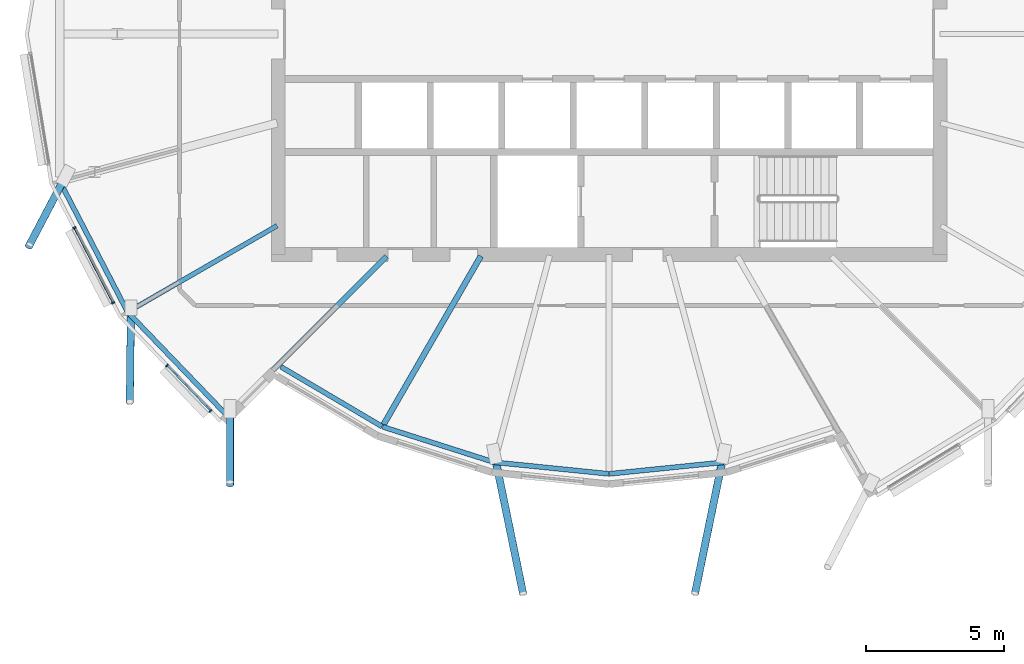
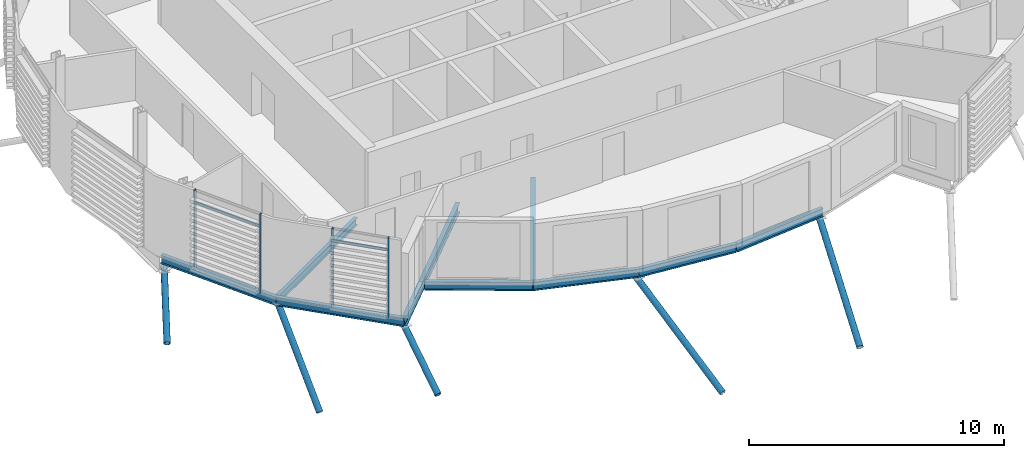
# One storey, part 3 of 38: 11 members, 9 beams, 1 element without a shape of its own.
"""IFC4 building model written with IfcOpenShell, lengths in metres."""

from ifc_helpers import new_model, si_unit, direction, frame, origin, origin_2d, place, context, subcontext, project, spatial, rectangle, hollow_circle, i_section, extrude, clip, halfspace, material, material_profile, profile_set, type_object, element, aggregate, save


model = new_model("IFC4")

# Units and contexts
model_context = context("Model", 3, precision=1e-05, world=origin(), true_north=direction((0.0, 1.0)))
body_context = subcontext(model_context, "Body", "Model", "MODEL_VIEW")
ifc_project = project(units=[si_unit("LENGTHUNIT", "METRE"), si_unit("AREAUNIT", "SQUARE_METRE"), si_unit("VOLUMEUNIT", "CUBIC_METRE"), si_unit("PLANEANGLEUNIT", "RADIAN"), si_unit("MASSUNIT", "GRAM", prefix="KILO")], contexts=[model_context])

# Site, building, storey
site_placement = place(None, origin())
site = spatial("IfcSite", under=ifc_project, at=site_placement, CompositionType="ELEMENT")
building_placement = place(site_placement, origin())
building = spatial("IfcBuilding", under=site, at=building_placement, Name="Rimbun Link Towers", CompositionType="ELEMENT")
storey_placement = place(building_placement, frame((0.0, 0.0, 218.10009765625)))
storey = spatial("IfcBuildingStorey", under=building, at=storey_placement, Name="L53", CompositionType="ELEMENT", Elevation=218.10009765625)

# Curtain wall, members
ifc_material_1 = material(Name="Aluminium 6063-T6 and low-iron glass", Category="aluminium")
curtain_wall_type = type_object("IfcCurtainWallType", Name="CW1-Z4 unitised vision wall (zone 4)", PredefinedType="NOTDEFINED", material=ifc_material_1)
curtain_wall_placement = place(storey_placement, origin())
curtain_wall = element("IfcCurtainWall", 1, at=curtain_wall_placement, inside=storey, type_object=curtain_wall_type, Name="CW1 L53 T1", PredefinedType="NOTDEFINED")
ifc_material_2 = material(Name="Aluminium 6063-T6", Category="aluminium")
ifc_material_profile_1 = material_profile(ifc_material_2, rectangle(XDim=0.1201171875, YDim=0.06005859375, at=origin_2d()), Name="MULLION 60X120")
ifc_profile_set_1 = profile_set([ifc_material_profile_1], Name="Aluminium 6063-T6")
member_type_1 = type_object("IfcMemberType", Name="CW1 mullion 60X120", PredefinedType="MULLION", material=ifc_profile_set_1)
member_1_placement = place(storey_placement, frame((-49.740966796875, -9.74951171875, 0.0), z_axis=(0.0, 0.0, 1.0), x_axis=(-0.888150016656, -0.459553639865, 0.0)))
member_1 = element("IfcMember", 2, at=member_1_placement, type_object=member_type_1, Name="CW1 mullion", PredefinedType="MULLION", context=body_context, shape_type="SweptSolid", body=[
    extrude(rectangle(XDim=0.1201171875, YDim=0.06005859375, at=origin_2d()), origin(), (0.0, 0.0, 1.0), 3.7998046875),
])
member_2_placement = place(storey_placement, frame((-51.1474609375, -7.03125, 0.0), z_axis=(0.0, 0.0, 1.0), x_axis=(-0.888150016656, -0.459553639865, 0.0)))
member_2 = element("IfcMember", 3, at=member_2_placement, type_object=member_type_1, Name="CW1 mullion", PredefinedType="MULLION", context=body_context, shape_type="SweptSolid", body=[
    extrude(rectangle(XDim=0.1201171875, YDim=0.06005859375, at=origin_2d()), origin(), (0.0, 0.0, 1.0), 3.7998046875),
])
member_3_placement = place(storey_placement, frame((-46.200439453125, -13.6708984375, 0.0), z_axis=(0.0, 0.0, 1.0), x_axis=(-0.721846446019, -0.692053255443, 0.0)))
member_3 = element("IfcMember", 4, at=member_3_placement, type_object=member_type_1, Name="CW1 mullion", PredefinedType="MULLION", context=body_context, shape_type="SweptSolid", body=[
    extrude(rectangle(XDim=0.1201171875, YDim=0.06005859375, at=origin_2d()), origin(), (0.0, 0.0, 1.0), 3.7998046875),
])
member_4_placement = place(storey_placement, frame((-47.78271484375, -12.0205078125, 0.0), z_axis=(0.0, 0.0, 1.0), x_axis=(-0.721846446019, -0.692053255443, 0.0)))
member_4 = element("IfcMember", 5, at=member_4_placement, type_object=member_type_1, Name="CW1 mullion", PredefinedType="MULLION", context=body_context, shape_type="SweptSolid", body=[
    extrude(rectangle(XDim=0.1201171875, YDim=0.06005859375, at=origin_2d()), origin(), (0.0, 0.0, 1.0), 3.7998046875),
])
ifc_material_3 = material(Name="Aluminium 6063-T6", Category="aluminium")
ifc_material_profile_2 = material_profile(ifc_material_3, rectangle(XDim=0.06005859375, YDim=0.1201171875, at=origin_2d()), Name="TRANSOM 60X120")
ifc_profile_set_2 = profile_set([ifc_material_profile_2], Name="Aluminium 6063-T6")
member_type_2 = type_object("IfcMemberType", Name="CW1 transom 60X120", PredefinedType="USERDEFINED", material=ifc_profile_set_2)
member_5_placement = place(storey_placement, frame((-49.7529296875, -9.721923828125, 3.199951171875), z_axis=(-0.459538013842, 0.888158101823, 0.0), x_axis=(-0.888158101823, -0.459538013842, 0.0)))
member_5 = element("IfcMember", 6, at=member_5_placement, type_object=member_type_2, Name="CW1 transom", ObjectType="TRANSOM", PredefinedType="USERDEFINED", context=body_context, shape_type="SweptSolid", body=[
    extrude(rectangle(XDim=0.06005859375, YDim=0.1201171875, at=origin_2d()), origin(), (0.0, 0.0, 1.0), 3.000732421875),
])
member_6_placement = place(storey_placement, frame((-46.2197265625, -13.64794921875, 3.199951171875), z_axis=(-0.692036343125, 0.721862659925, 0.0), x_axis=(-0.721862659925, -0.692036343125, 0.0)))
member_6 = element("IfcMember", 7, at=member_6_placement, type_object=member_type_2, Name="CW1 transom", ObjectType="TRANSOM", PredefinedType="USERDEFINED", context=body_context, shape_type="SweptSolid", body=[
    extrude(rectangle(XDim=0.06005859375, YDim=0.1201171875, at=origin_2d()), origin(), (0.0, 0.0, 1.0), 2.226318359375),
])
aggregate(curtain_wall, [member_1, member_2, member_3, member_4, member_5, member_6])

# Members
ifc_material_4 = material(Name="Steel S355J2H", Category="steel")
ifc_material_profile_3 = material_profile(ifc_material_4, hollow_circle(Radius=0.136474609375, WallThickness=0.012451171875, at=origin_2d()), Name="CHS 273x12.5")
ifc_profile_set_3 = profile_set([ifc_material_profile_3], Name="Steel S355J2H")
member_type_3 = type_object("IfcMemberType", Name="Floor edge link CHS 273x12.5", PredefinedType="BRACE", material=ifc_profile_set_3)
member_7_placement = place(storey_placement, frame((-51.536865234375, -5.302001953125, -1.1005859375), z_axis=(-0.408204372479, -0.776884818228, -0.479394586428), x_axis=(0.885238476551, -0.465137441659, 0.0)))
element("IfcMember", 8, at=member_7_placement, inside=storey, type_object=member_type_3, Name="Floor edge link T1 L53 13", PredefinedType="BRACE", context=body_context, shape_type="Clipping", body=[
    clip(extrude(hollow_circle(Radius=0.136474609375, WallThickness=0.012451171875, at=origin_2d()), frame((0.0, 0.0, -0.5205078125)), (0.0, 0.0, 1.0), 3.627685546875), halfspace(frame((0.0, 0.0, -0.24560546875), z_axis=(0.0, 0.877599470433, -0.479394586428)), False)),
])
member_8_placement = place(storey_placement, frame((-49.09033203125, -10.011474609375, -0.5947265625), z_axis=(-0.009020005367, -0.725792078943, -0.687854997545), x_axis=(0.999922783726, -0.012426849421, 0.0)))
element("IfcMember", 9, at=member_8_placement, inside=storey, type_object=member_type_3, Name="Floor edge link T1 L53 14", PredefinedType="BRACE", context=body_context, shape_type="Clipping", body=[
    clip(extrude(hollow_circle(Radius=0.136474609375, WallThickness=0.012451171875, at=origin_2d()), frame((0.0, 0.0, -0.302490234375)), (0.0, 0.0, 1.0), 4.90380859375), halfspace(frame((0.0, 0.0, -0.141845703125), z_axis=(0.0, 0.725848126231, -0.687854997545)), False)),
])
member_9_placement = place(storey_placement, frame((-45.49560546875, -13.74560546875, -0.70849609375), z_axis=(-0.000315990404, -0.843062398344, -0.537815667909), x_axis=(0.999999929758, -0.000374812567, 0.0)))
element("IfcMember", 10, at=member_9_placement, inside=storey, type_object=member_type_3, Name="Floor edge link T1 L53 15", PredefinedType="BRACE", context=body_context, shape_type="Clipping", body=[
    clip(extrude(hollow_circle(Radius=0.136474609375, WallThickness=0.012451171875, at=origin_2d()), frame((0.0, 0.0, -0.446533203125)), (0.0, 0.0, 1.0), 3.537109375), halfspace(frame((0.0, 0.0, -0.210205078125), z_axis=(0.0, 0.843062457563, -0.537815667909)), False)),
])
for number, where, z_axis, x_axis, name in (
    (11, (-35.87548828125, -15.396240234375, -0.79296875), (0.17579485155, -0.853818214211, -0.489990435876), (0.979455061003, 0.201662548518, 0.0), "Floor edge link T1 L53 17"),
    (12, (-27.62451171875, -15.396240234375, -0.79296875), (-0.17579485155, -0.853818214211, -0.489990435876), (0.979455061003, -0.201662548518, 0.0), "Floor edge link T1 L53 19"),
):
    element("IfcMember", number, at=place(storey_placement, frame(where, z_axis=z_axis, x_axis=x_axis)), inside=storey, type_object=member_type_3, Name=name, PredefinedType="BRACE", context=body_context, shape_type="Clipping", body=[
        clip(extrude(hollow_circle(Radius=0.136474609375, WallThickness=0.012451171875, at=origin_2d()), frame((0.0, 0.0, -0.506103515625)), (0.0, 0.0, 1.0), 6.25146484375), halfspace(frame((0.0, 0.0, -0.240234375), z_axis=(0.0, 0.871727808866, -0.489990435876)), False)),
    ])

# Beams
ifc_material_5 = material(Name="Steel S355J2", Category="steel")
ifc_material_profile_4 = material_profile(ifc_material_5, i_section(OverallWidth=0.17138671875, OverallDepth=0.35498046875, WebThickness=0.00732421875, FlangeThickness=0.011474609375, at=origin_2d()), Name="UB 356x171x51")
ifc_profile_set_4 = profile_set([ifc_material_profile_4], Name="Steel S355J2")
beam_type_1 = type_object("IfcBeamType", Name="UB 356x171x51", PredefinedType="BEAM", material=ifc_profile_set_4)
beam_1_placement = place(storey_placement, frame((-43.793701171875, -6.95361328125, -0.317626953125), z_axis=(-0.866031960439, -0.49998864337, 0.0), x_axis=(0.49998864337, -0.866031960439, 0.0)))
element("IfcBeam", 13, at=beam_1_placement, inside=storey, type_object=beam_type_1, Name="Radial beam T1 L53 14", PredefinedType="BEAM", context=body_context, shape_type="SweptSolid", body=[
    extrude(i_section(OverallWidth=0.17138671875, OverallDepth=0.35498046875, WebThickness=0.00732421875, FlangeThickness=0.011474609375, at=origin_2d()), origin(), (0.0, 0.0, 1.0), 6.166259765625),
])
ifc_material_6 = material(Name="Steel S355J2", Category="steel")
ifc_material_profile_5 = material_profile(ifc_material_6, i_section(OverallWidth=0.177978515625, OverallDepth=0.406494140625, WebThickness=0.0078125, FlangeThickness=0.0126953125, at=origin_2d()), Name="UB 406x178x60")
ifc_profile_set_5 = profile_set([ifc_material_profile_5], Name="Steel S355J2")
beam_type_2 = type_object("IfcBeamType", Name="UB 406x178x60", PredefinedType="BEAM", material=ifc_profile_set_5)
beam_2_placement = place(storey_placement, frame((-51.673583984375, -5.339599609375, -0.34326171875), z_axis=(0.460704929301, -0.887553360716, 0.0), x_axis=(0.887553360716, 0.460704929301, 0.0)))
element("IfcBeam", 14, at=beam_2_placement, inside=storey, type_object=beam_type_2, Name="Edge beam T1 L53 13", PredefinedType="BEAM", context=body_context, shape_type="SweptSolid", body=[
    extrude(i_section(OverallWidth=0.177978515625, OverallDepth=0.406494140625, WebThickness=0.0078125, FlangeThickness=0.0126953125, at=origin_2d()), origin(), (0.0, 0.0, 1.0), 5.328857421875),
])
beam_3_placement = place(storey_placement, frame((-49.202392578125, -10.091796875, -0.34326171875), z_axis=(0.693038407807, -0.720900662577, 0.0), x_axis=(0.720900662577, 0.693038407807, 0.0)))
element("IfcBeam", 15, at=beam_3_placement, inside=storey, type_object=beam_type_2, Name="Edge beam T1 L53 14", PredefinedType="BEAM", context=body_context, shape_type="SweptSolid", body=[
    extrude(i_section(OverallWidth=0.177978515625, OverallDepth=0.406494140625, WebThickness=0.0078125, FlangeThickness=0.0126953125, at=origin_2d()), origin(), (0.0, 0.0, 1.0), 5.204833984375),
])
beam_4_placement = place(storey_placement, frame((-43.650390625, -12.0673828125, -0.34326171875), z_axis=(0.860996091621, -0.508611571057, 0.0), x_axis=(0.508611571057, 0.860996091621, 0.0)))
element("IfcBeam", 16, at=beam_4_placement, inside=storey, type_object=beam_type_2, Name="Edge beam T1 L53 15 recess", PredefinedType="BEAM", context=body_context, shape_type="SweptSolid", body=[
    extrude(i_section(OverallWidth=0.177978515625, OverallDepth=0.406494140625, WebThickness=0.0078125, FlangeThickness=0.0126953125, at=origin_2d()), origin(), (0.0, 0.0, 1.0), 4.261474609375),
])
beam_5_placement = place(storey_placement, frame((-39.961181640625, -14.243896484375, -0.34326171875), z_axis=(0.952974931394, -0.303049138152, 0.0), x_axis=(0.303049138152, 0.952974931394, 0.0)))
element("IfcBeam", 17, at=beam_5_placement, inside=storey, type_object=beam_type_2, Name="Edge beam T1 L53 16 recess", PredefinedType="BEAM", context=body_context, shape_type="SweptSolid", body=[
    extrude(i_section(OverallWidth=0.177978515625, OverallDepth=0.406494140625, WebThickness=0.0078125, FlangeThickness=0.0126953125, at=origin_2d()), origin(), (0.0, 0.0, 1.0), 4.2392578125),
])
for number, where, z_axis, x_axis, name in (
    (18, (-35.901611328125, -15.53271484375, -0.34326171875), (0.994928596191, -0.100583738651, 0.0), (0.100583738651, 0.994928596191, 0.0), "Edge beam T1 L53 17 recess"),
    (19, (-31.739990234375, -15.951416015625, -0.34326171875), (0.994928596191, 0.100583738651, 0.0), (-0.100583738651, 0.994928596191, 0.0), "Edge beam T1 L53 18 recess"),
):
    element("IfcBeam", number, at=place(storey_placement, frame(where, z_axis=z_axis, x_axis=x_axis)), inside=storey, type_object=beam_type_2, Name=name, PredefinedType="BEAM", context=body_context, shape_type="SweptSolid", body=[
        extrude(i_section(OverallWidth=0.177978515625, OverallDepth=0.406494140625, WebThickness=0.0078125, FlangeThickness=0.0126953125, at=origin_2d()), origin(), (0.0, 0.0, 1.0), 4.16259765625),
    ])
ifc_material_7 = material(Name="Steel S355J2", Category="steel")
ifc_material_profile_6 = material_profile(ifc_material_7, i_section(OverallWidth=0.18994140625, OverallDepth=0.453369140625, WebThickness=0.008544921875, FlangeThickness=0.0126953125, at=origin_2d()), Name="UB 457x191x67")
ifc_profile_set_6 = profile_set([ifc_material_profile_6], Name="Steel S355J2")
beam_type_3 = type_object("IfcBeamType", Name="UB 457x191x67", PredefinedType="BEAM", material=ifc_profile_set_6)
beam_6_placement = place(storey_placement, frame((-39.81787109375, -8.06787109375, -0.36669921875), z_axis=(-0.707106781187, -0.707106781187, 0.0), x_axis=(0.707106781187, -0.707106781187, 0.0)))
element("IfcBeam", 20, at=beam_6_placement, inside=storey, type_object=beam_type_3, Name="Radial beam T1 L53 15", PredefinedType="BEAM", context=body_context, shape_type="SweptSolid", body=[
    extrude(i_section(OverallWidth=0.18994140625, OverallDepth=0.453369140625, WebThickness=0.008544921875, FlangeThickness=0.0126953125, at=origin_2d()), origin(), (0.0, 0.0, 1.0), 8.07958984375),
])
ifc_material_8 = material(Name="Steel S355J2", Category="steel")
ifc_material_profile_7 = material_profile(ifc_material_8, i_section(OverallWidth=0.209228515625, OverallDepth=0.533203125, WebThickness=0.010009765625, FlangeThickness=0.015625, at=origin_2d()), Name="UB 533x210x92")
ifc_profile_set_7 = profile_set([ifc_material_profile_7], Name="Steel S355J2")
beam_type_4 = type_object("IfcBeamType", Name="UB 533x210x92", PredefinedType="BEAM", material=ifc_profile_set_7)
beam_7_placement = place(storey_placement, frame((-36.3994140625, -8.05322265625, -0.406494140625), z_axis=(-0.500014057686, -0.866017287424, 0.0), x_axis=(0.866017287424, -0.500014057686, 0.0)))
element("IfcBeam", 21, at=beam_7_placement, inside=storey, type_object=beam_type_4, Name="Radial beam T1 L53 16", PredefinedType="BEAM", context=body_context, shape_type="SweptSolid", body=[
    extrude(i_section(OverallWidth=0.209228515625, OverallDepth=0.533203125, WebThickness=0.010009765625, FlangeThickness=0.015625, at=origin_2d()), origin(), (0.0, 0.0, 1.0), 7.053955078125),
])

save(model, "model.ifc")
